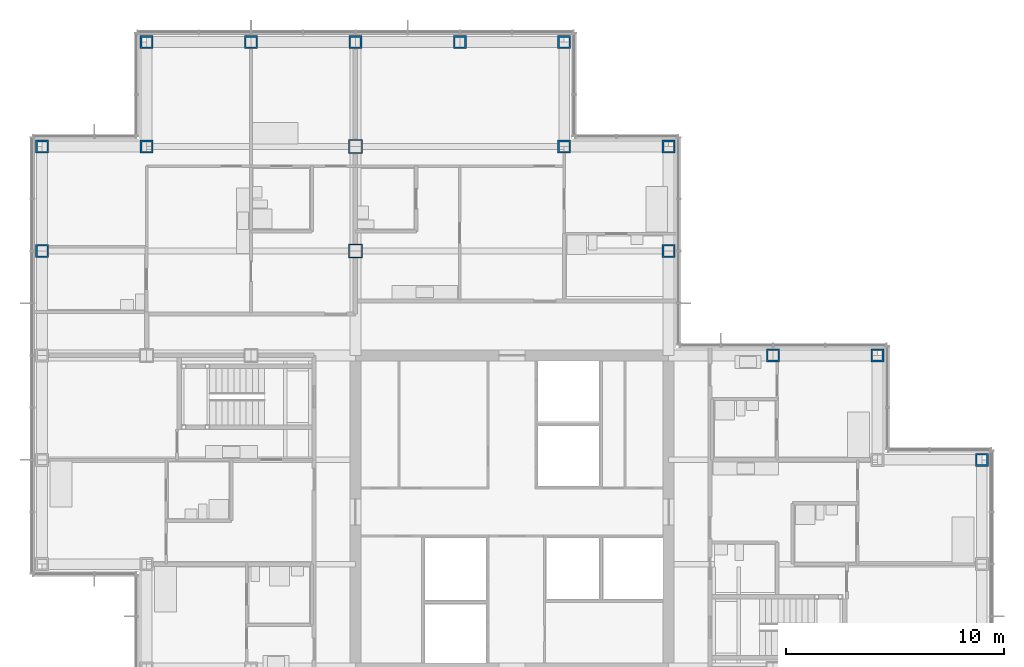
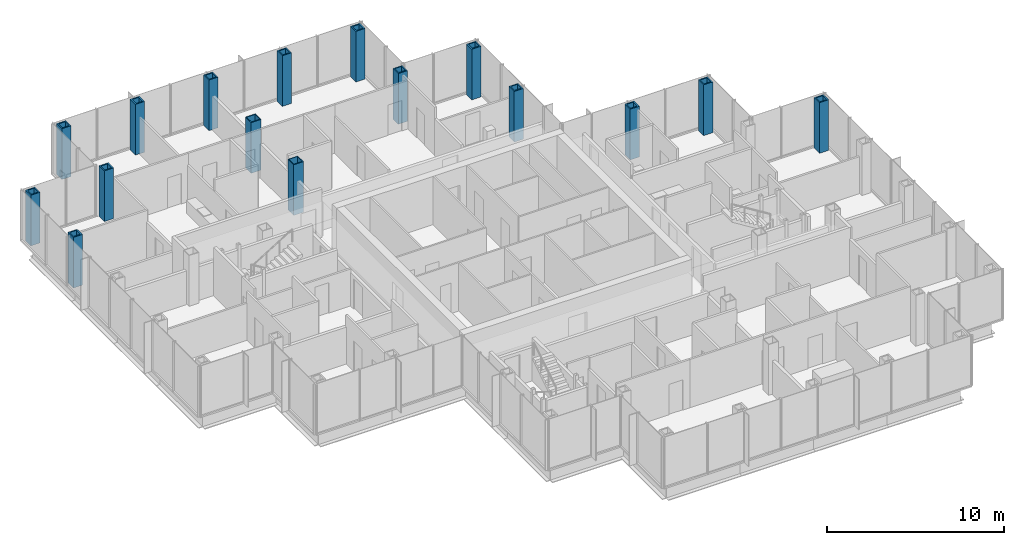
# One storey, part 5 of 19: 16 columns.
"""IFC4 building model written with IfcOpenShell, lengths in metres."""

from ifc_helpers import new_model, si_unit, direction, frame, origin, origin_2d, place, context, subcontext, project, spatial, hollow_rectangle, extrude, material, material_profile, profile_set, type_object, element, save


model = new_model("IFC4")

# Units and contexts
model_context = context("Model", 3, precision=1e-05, world=origin(), true_north=direction((0.0, 1.0)))
body_context = subcontext(model_context, "Body", "Model", "MODEL_VIEW")
ifc_project = project(units=[si_unit("LENGTHUNIT", "METRE"), si_unit("AREAUNIT", "SQUARE_METRE"), si_unit("VOLUMEUNIT", "CUBIC_METRE"), si_unit("PLANEANGLEUNIT", "RADIAN"), si_unit("MASSUNIT", "GRAM", prefix="KILO")], contexts=[model_context])

# Site, building, storey
site_placement = place(None, origin())
site = spatial("IfcSite", under=ifc_project, at=site_placement, CompositionType="ELEMENT")
building_placement = place(site_placement, origin())
building = spatial("IfcBuilding", under=site, at=building_placement, Name="Kvirike Care Tower", CompositionType="ELEMENT")
storey_placement = place(building_placement, frame((0.0, 0.0, 129.5)))
storey = spatial("IfcBuildingStorey", under=building, at=storey_placement, Name="L35", CompositionType="ELEMENT", Elevation=129.5)

# Columns
ifc_material_1 = material(Name="Steel S460", Category="steel")
ifc_material_profile_1 = material_profile(ifc_material_1, hollow_rectangle(XDim=0.60009765625, YDim=0.60009765625, WallThickness=0.080078125, at=origin_2d()), Name="BX 600x600x80")
ifc_profile_set_1 = profile_set([ifc_material_profile_1], Name="Steel S460")
column_type_1 = type_object("IfcColumnType", Name="COLUMN BX 600x600x80", PredefinedType="COLUMN", material=ifc_profile_set_1)
for number, where, z_axis, x_axis, name in (
    (1, (0.0, 48.0, 0.0), (0.0, 0.0, 1.0), (1.0, 0.0, 0.0), "Column L3 L35"),
    (2, (0.0, 52.800048828125, 0.0), (0.0, 0.0, 1.0), (0.0, 1.0, 0.0), "Column M3 L35"),
    (3, (4.800048828125, 52.800048828125, 0.0), (0.0, 0.0, 1.0), (0.0, 1.0, 0.0), "Column M4 L35"),
    (4, (4.800048828125, 57.60009765625, 0.0), (0.0, 0.0, 1.0), (0.0, 1.0, 0.0), "Column N4 L35"),
    (5, (9.60009765625, 57.60009765625, 0.0), (0.0, 0.0, 1.0), (0.0, 1.0, 0.0), "Column N5 L35"),
    (6, (14.39990234375, 57.60009765625, 0.0), (0.0, 0.0, 1.0), (0.0, 1.0, 0.0), "Column N6 L35"),
    (7, (19.199951171875, 57.60009765625, 0.0), (0.0, 0.0, 1.0), (0.0, 1.0, 0.0), "Column N7 L35"),
    (8, (24.0, 52.800048828125, 0.0), (0.0, 0.0, 1.0), (0.0, 1.0, 0.0), "Column M8 L35"),
    (9, (24.0, 57.60009765625, 0.0), (0.0, 0.0, 1.0), (0.0, 1.0, 0.0), "Column N8 L35"),
    (10, (28.800048828125, 48.0, 0.0), (0.0, 0.0, 1.0), (1.0, 0.0, 0.0), "Column L9 L35"),
    (11, (28.800048828125, 52.800048828125, 0.0), (0.0, 0.0, 1.0), (0.0, 1.0, 0.0), "Column M9 L35"),
    (12, (33.60009765625, 43.199951171875, 0.0), (0.0, 0.0, 1.0), (0.0, 1.0, 0.0), "Column K10 L35"),
    (13, (38.39990234375, 43.199951171875, 0.0), (0.0, 0.0, 1.0), (0.0, 1.0, 0.0), "Column K11 L35"),
    (14, (43.199951171875, 38.39990234375, 0.0), (0.0, 0.0, 1.0), (0.0, 1.0, 0.0), "Column J12 L35"),
):
    element("IfcColumn", number, at=place(storey_placement, frame(where, z_axis=z_axis, x_axis=x_axis)), inside=storey, type_object=column_type_1, Name=name, PredefinedType="COLUMN", context=body_context, shape_type="SweptSolid", body=[
        extrude(hollow_rectangle(XDim=0.60009765625, YDim=0.60009765625, WallThickness=0.080078125, at=origin_2d()), origin(), (0.0, 0.0, 1.0), 3.5),
    ])
ifc_material_2 = material(Name="Steel S460", Category="steel")
ifc_material_profile_2 = material_profile(ifc_material_2, hollow_rectangle(XDim=0.64990234375, YDim=0.64990234375, WallThickness=0.050048828125, at=origin_2d()), Name="BX 650x650x50")
ifc_profile_set_2 = profile_set([ifc_material_profile_2], Name="Steel S460")
column_type_2 = type_object("IfcColumnType", Name="COLUMN BX 650x650x50", PredefinedType="COLUMN", material=ifc_profile_set_2)
for number, where, z_axis, x_axis, name in (
    (15, (14.39990234375, 48.0, 0.0), (0.0, 0.0, 1.0), (1.0, 0.0, 0.0), "Column L6 L35"),
    (16, (14.39990234375, 52.800048828125, 0.0), (0.0, 0.0, 1.0), (1.0, 0.0, 0.0), "Column M6 L35"),
):
    element("IfcColumn", number, at=place(storey_placement, frame(where, z_axis=z_axis, x_axis=x_axis)), inside=storey, type_object=column_type_2, Name=name, PredefinedType="COLUMN", context=body_context, shape_type="SweptSolid", body=[
        extrude(hollow_rectangle(XDim=0.64990234375, YDim=0.64990234375, WallThickness=0.050048828125, at=origin_2d()), origin(), (0.0, 0.0, 1.0), 3.5),
    ])

save(model, "model.ifc")
